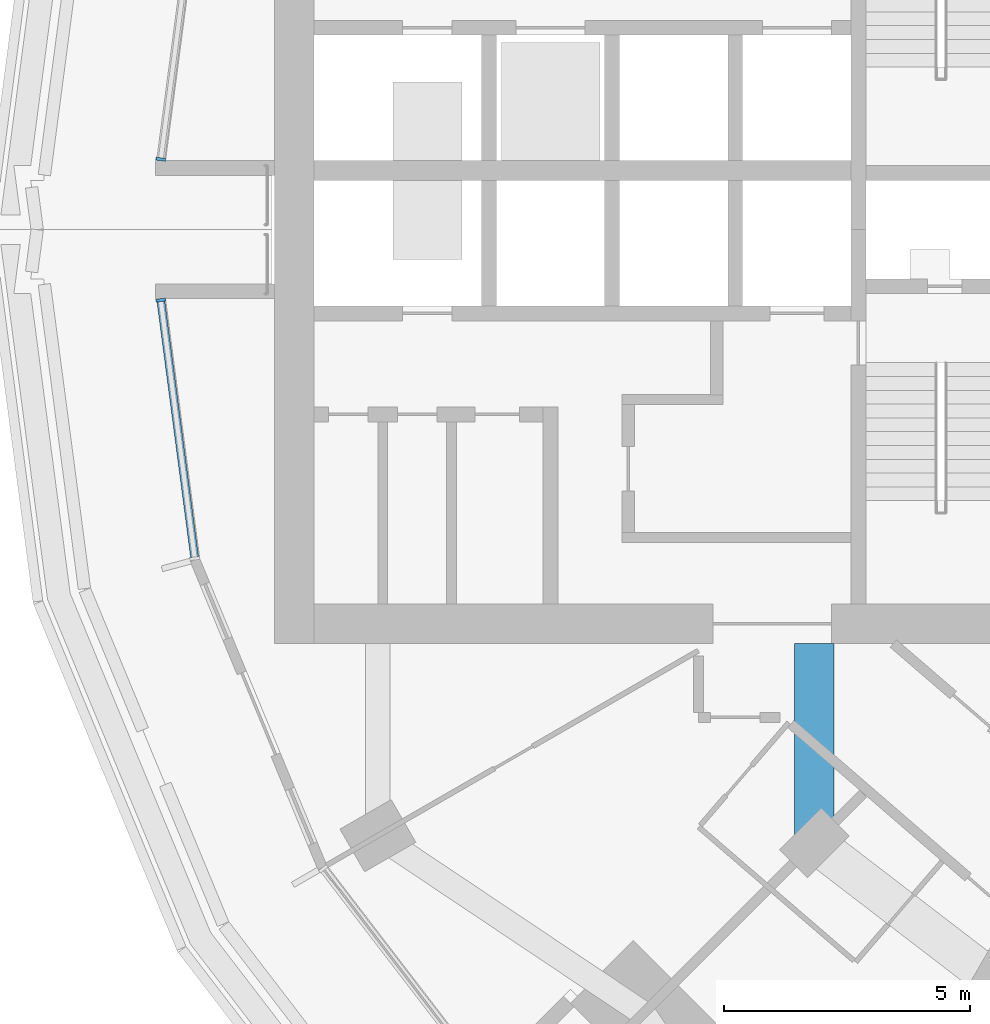
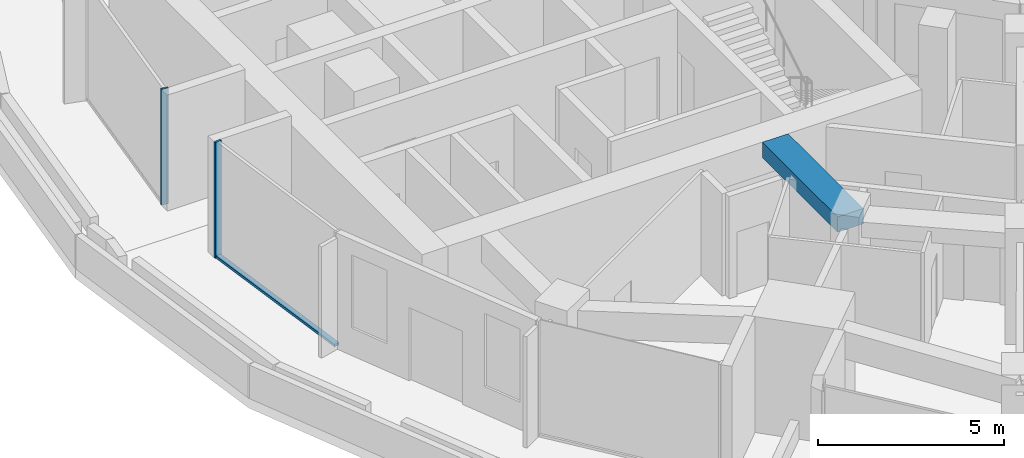
# One storey, part 3 of 19: 3 members, 1 beam, 2 elements without a shape of their own.
"""IFC4 building model written with IfcOpenShell, lengths in metres."""

from ifc_helpers import new_model, si_unit, direction, frame, origin, origin_2d, place, context, subcontext, project, spatial, rectangle, extrude, material, layer, layer_set, material_profile, profile_set, type_object, element, aggregate, save


model = new_model("IFC4")

# Units and contexts
model_context = context("Model", 3, precision=1e-05, world=origin(), true_north=direction((0.0, 1.0)))
body_context = subcontext(model_context, "Body", "Model", "MODEL_VIEW")
ifc_project = project(units=[si_unit("LENGTHUNIT", "METRE"), si_unit("AREAUNIT", "SQUARE_METRE"), si_unit("VOLUMEUNIT", "CUBIC_METRE"), si_unit("PLANEANGLEUNIT", "RADIAN"), si_unit("MASSUNIT", "GRAM", prefix="KILO")], contexts=[model_context])

# Site, building, storey
site_placement = place(None, origin())
site = spatial("IfcSite", under=ifc_project, at=site_placement, CompositionType="ELEMENT")
building_placement = place(site_placement, origin())
building = spatial("IfcBuilding", under=site, at=building_placement, Name="Torre Brocal", CompositionType="ELEMENT")
storey_placement = place(building_placement, frame((0.0, 0.0, 28.800048828125)))
storey = spatial("IfcBuildingStorey", under=building, at=storey_placement, Name="L05", CompositionType="ELEMENT", Elevation=28.800048828125)

# Curtain wall, member
ifc_material_1 = material(Name="Aluminium and glass", Category="aluminium")
ifc_layer = layer(ifc_material_1, 0.199951171875)
ifc_layer_set = layer_set([ifc_layer], Name="Aluminium and glass")
curtain_wall_type = type_object("IfcCurtainWallType", Name="CW-1B CURTAIN WALL 3800 HIGH", PredefinedType="NOTDEFINED", material=ifc_layer_set)
curtain_wall_1_placement = place(storey_placement, origin())
curtain_wall_1 = element("IfcCurtainWall", 1, at=curtain_wall_1_placement, inside=storey, type_object=curtain_wall_type, Name="CW-1B RUN 12", PredefinedType="NOTDEFINED")
ifc_material_2 = material(Name="Aluminium, dark anodised", Category="aluminium")
ifc_material_profile_1 = material_profile(ifc_material_2, rectangle(XDim=0.199951171875, YDim=0.06005859375, at=origin_2d()), Name="CW-1B MULLION 60X200")
ifc_profile_set_1 = profile_set([ifc_material_profile_1], Name="Aluminium, dark anodised")
member_type_1 = type_object("IfcMemberType", Name="CW-1B MULLION 60X200", PredefinedType="MULLION", material=ifc_profile_set_1)
member_1_placement = place(storey_placement, frame((54.2890625, 76.4296875, 0.0), z_axis=(0.0, 0.0, 1.0), x_axis=(0.991444861374, -0.13052619222, 0.0)))
member_1 = element("IfcMember", 2, at=member_1_placement, type_object=member_type_1, Name="CW1B-1 mullion 2", PredefinedType="MULLION", context=body_context, shape_type="SweptSolid", body=[
    extrude(rectangle(XDim=0.199951171875, YDim=0.06005859375, at=origin_2d()), origin(), (0.0, 0.0, 1.0), 3.800048828125),
])
aggregate(curtain_wall_1, [member_1])

# Curtain wall, members
curtain_wall_2_placement = place(storey_placement, origin())
curtain_wall_2 = element("IfcCurtainWall", 3, at=curtain_wall_2_placement, inside=storey, type_object=curtain_wall_type, Name="CW-1B RUN 13", PredefinedType="NOTDEFINED")
member_2_placement = place(storey_placement, frame((54.2890625, 73.5703125, 0.0), z_axis=(0.0, 0.0, 1.0), x_axis=(0.991444861374, 0.13052619222, 0.0)))
member_2 = element("IfcMember", 4, at=member_2_placement, type_object=member_type_1, Name="CW1B-1 mullion 1", PredefinedType="MULLION", context=body_context, shape_type="SweptSolid", body=[
    extrude(rectangle(XDim=0.199951171875, YDim=0.06005859375, at=origin_2d()), origin(), (0.0, 0.0, 1.0), 3.800048828125),
])
ifc_material_3 = material(Name="Aluminium, dark anodised", Category="aluminium")
ifc_material_profile_2 = material_profile(ifc_material_3, rectangle(XDim=0.159912109375, YDim=0.080078125, at=origin_2d()), Name="CW-1B TRANSOM 160X80")
ifc_profile_set_2 = profile_set([ifc_material_profile_2], Name="Aluminium, dark anodised")
member_type_2 = type_object("IfcMemberType", Name="CW-1B TRANSOM 160X80", PredefinedType="USERDEFINED", material=ifc_profile_set_2)
member_3_placement = place(storey_placement, frame((54.29296875, 73.54052734375, 0.0400390625), z_axis=(0.130542677827, -0.991442690863, 0.0), x_axis=(0.991442690863, 0.130542677827, 0.0)))
member_3 = element("IfcMember", 5, at=member_3_placement, type_object=member_type_2, Name="CW1B-1 transom 1.1", ObjectType="TRANSOM", PredefinedType="USERDEFINED", context=body_context, shape_type="SweptSolid", body=[
    extrude(rectangle(XDim=0.159912109375, YDim=0.080078125, at=origin_2d()), origin(), (0.0, 0.0, 1.0), 5.22900390625),
])
aggregate(curtain_wall_2, [member_2, member_3])

# Beam
ifc_material_4 = material(Name="Concrete C50", Category="concrete")
ifc_material_profile_3 = material_profile(ifc_material_4, rectangle(XDim=0.800048828125, YDim=0.5, at=origin_2d()), Name="RC 800X500")
ifc_profile_set_3 = profile_set([ifc_material_profile_3], Name="Concrete C50")
beam_type = type_object("IfcBeamType", Name="RC BEAM 800X500 C50 TOP 3480", PredefinedType="BEAM", material=ifc_profile_set_3)
beam_placement = place(storey_placement, frame((67.554931640625, 62.554931640625, 3.22998046875), z_axis=(0.0, 1.0, 0.0), x_axis=(-1.0, 0.0, 0.0)))
element("IfcBeam", 6, at=beam_placement, inside=storey, type_object=beam_type, Name="Beam BT-19", PredefinedType="BEAM", context=body_context, shape_type="SweptSolid", body=[
    extrude(rectangle(XDim=0.800048828125, YDim=0.5, at=origin_2d()), origin(), (0.0, 0.0, 1.0), 4.045166015625),
])

save(model, "model.ifc")
